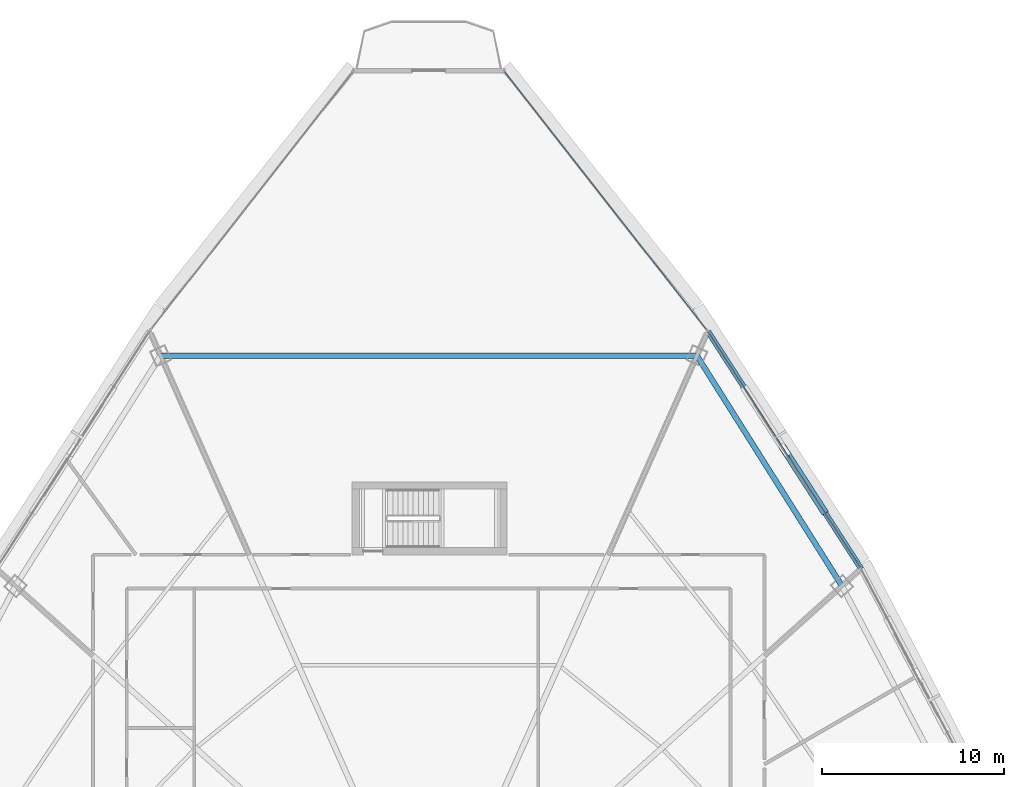
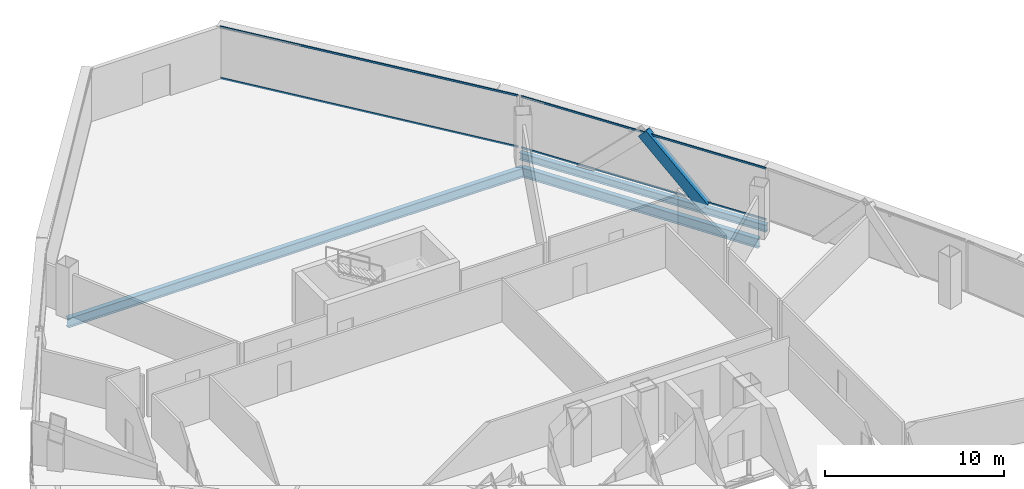
# One storey, part 21 of 36: 5 members, 3 beams, 2 elements without a shape of their own.
"""IFC4 building model written with IfcOpenShell, lengths in metres."""

from ifc_helpers import new_model, si_unit, direction, frame, origin, origin_2d, place, context, subcontext, project, spatial, hollow_rectangle, i_section, extrude, source, transform, mapped, material, layer, layer_set, material_profile, profile_set, type_object, element, aggregate, save


model = new_model("IFC4")

# Units and contexts
model_context = context("Model", 3, precision=1e-05, world=origin(), true_north=direction((0.0, 1.0)))
body_context = subcontext(model_context, "Body", "Model", "MODEL_VIEW")
ifc_project = project(units=[si_unit("LENGTHUNIT", "METRE"), si_unit("AREAUNIT", "SQUARE_METRE"), si_unit("VOLUMEUNIT", "CUBIC_METRE"), si_unit("PLANEANGLEUNIT", "RADIAN"), si_unit("MASSUNIT", "GRAM", prefix="KILO"), si_unit("THERMODYNAMICTEMPERATUREUNIT", "KELVIN"), si_unit("POWERUNIT", "WATT")], contexts=[model_context])

# Site, building, storey
site_placement = place(None, origin())
site = spatial("IfcSite", under=ifc_project, at=site_placement, CompositionType="ELEMENT")
building_placement = place(site_placement, origin())
building = spatial("IfcBuilding", under=site, at=building_placement, Name="Yunzhuo Pagoda Commons", CompositionType="ELEMENT")
storey_placement = place(building_placement, frame((0.0, 0.0, 211.360107421875)))
storey = spatial("IfcBuildingStorey", under=building, at=storey_placement, Name="L53", CompositionType="ELEMENT", Elevation=211.360107421875)

# Beams
ifc_material_1 = material(Name="Structural steel Q355B", Category="steel")
ifc_material_profile_1 = material_profile(ifc_material_1, i_section(OverallWidth=0.300048828125, OverallDepth=0.64990234375, WebThickness=0.012939453125, FlangeThickness=0.02197265625, at=origin_2d()), Name="Structural steel Q355B")
ifc_profile_set_1 = profile_set([ifc_material_profile_1], Name="Structural steel Q355B")
beam_type_1 = type_object("IfcBeamType", Name="B-RG2 Beam HN 650x300x13x22", PredefinedType="BEAM", material=ifc_profile_set_1)
shared_shape_1 = source(origin(), body_context, "Body", "SweptSolid", [
    extrude(i_section(OverallWidth=0.300048828125, OverallDepth=0.64990234375, WebThickness=0.012939453125, FlangeThickness=0.02197265625, at=origin_2d()), origin(), (0.0, 0.0, 1.0), 14.916015625),
])
beam_1_placement = place(storey_placement, frame((70.650634765625, 54.0947265625, -0.585205078125), z_axis=(-0.533092374013, 0.846057043449, 0.0), x_axis=(-0.846057043449, -0.533092374013, 0.0)))
element("IfcBeam", 1, at=beam_1_placement, inside=storey, type_object=beam_type_1, Name="L53 column-ring beam 7", PredefinedType="BEAM", context=body_context, shape_type="MappedRepresentation", body=[
    mapped(shared_shape_1, transform((0.0, 0.0, 0.0), scale=1.0)),
])
shared_shape_2 = source(origin(), body_context, "Body", "SweptSolid", [
    extrude(i_section(OverallWidth=0.300048828125, OverallDepth=0.64990234375, WebThickness=0.012939453125, FlangeThickness=0.02197265625, at=origin_2d()), origin(), (0.0, 0.0, 1.0), 29.39794921875),
])
beam_2_placement = place(storey_placement, frame((62.698974609375, 66.714599609375, -0.585205078125), z_axis=(-1.0, 0.0, 0.0), x_axis=(0.0, -1.0, 0.0)))
element("IfcBeam", 2, at=beam_2_placement, inside=storey, type_object=beam_type_1, Name="L53 column-ring beam 8", PredefinedType="BEAM", context=body_context, shape_type="MappedRepresentation", body=[
    mapped(shared_shape_2, transform((0.0, 0.0, 0.0), scale=1.0)),
])
ifc_material_profile_2 = material_profile(ifc_material_1, i_section(OverallWidth=0.300048828125, OverallDepth=0.488037109375, WebThickness=0.010986328125, FlangeThickness=0.01806640625, at=origin_2d()), Name="Structural steel Q355B")
ifc_profile_set_2 = profile_set([ifc_material_profile_2], Name="Structural steel Q355B")
beam_type_2 = type_object("IfcBeamType", Name="B-SP1 Beam HM 488x300x11x18", PredefinedType="BEAM", material=ifc_profile_set_2)
shared_shape_3 = source(origin(), body_context, "Body", "SweptSolid", [
    extrude(i_section(OverallWidth=0.300048828125, OverallDepth=0.488037109375, WebThickness=0.010986328125, FlangeThickness=0.01806640625, at=origin_2d()), origin(), (0.0, 0.0, 1.0), 15.4951171875),
])
beam_3_placement = place(storey_placement, frame((71.701904296875, 55.041259765625, -0.504150390625), z_axis=(-0.542386674216, 0.840128975594, 0.0), x_axis=(-0.840128975594, -0.542386674216, 0.0)))
element("IfcBeam", 3, at=beam_3_placement, inside=storey, type_object=beam_type_2, Name="L53 facade edge spandrel beam F2.3", PredefinedType="BEAM", context=body_context, shape_type="MappedRepresentation", body=[
    mapped(shared_shape_3, transform((0.0, 0.0, 0.0), scale=1.0)),
])

# Member
ifc_material_profile_3 = material_profile(ifc_material_1, hollow_rectangle(XDim=0.39990234375, YDim=0.719970703125, WallThickness=0.02392578125, at=origin_2d()), Name="Structural steel Q355B")
ifc_profile_set_3 = profile_set([ifc_material_profile_3], Name="Structural steel Q355B")
member_type_1 = type_object("IfcMemberType", Name="M-DL2 Brace BOX 720x400x24", PredefinedType="BRACE", material=ifc_profile_set_3)
shared_shape_4 = source(origin(), body_context, "Body", "SweptSolid", [
    extrude(hollow_rectangle(XDim=0.39990234375, YDim=0.719970703125, WallThickness=0.02392578125, at=origin_2d()), origin(), (0.0, 0.0, 1.0), 5.42626953125),
])
member_1_placement = place(storey_placement, frame((69.600830078125, 58.295654296875, -0.260009765625), z_axis=(-0.387195625252, 0.599779790871, 0.700245492845), x_axis=(-0.840142880277, -0.542365135974, 0.0)))
element("IfcMember", 4, at=member_1_placement, inside=storey, type_object=member_type_1, Name="L53 facade diamond brace F2.3L", PredefinedType="BRACE", context=body_context, shape_type="MappedRepresentation", body=[
    mapped(shared_shape_4, transform((0.0, 0.0, 0.0), scale=1.0)),
])

# Curtain wall, members
ifc_material_2 = material(Name="Anodized aluminium 6063-T6", Category="aluminium")
ifc_layer = layer(ifc_material_2, 0.14990234375)
ifc_layer_set = layer_set([ifc_layer], Name="Anodized aluminium 6063-T6")
curtain_wall_type = type_object("IfcCurtainWallType", Name="CW-MID Mid-Zone Ribbon Curtain Wall", PredefinedType="NOTDEFINED", material=ifc_layer_set)
curtain_wall_1_placement = place(storey_placement, origin())
curtain_wall_1 = element("IfcCurtainWall", 5, at=curtain_wall_1_placement, inside=storey, type_object=curtain_wall_type, Name="L53 curtain wall CW-L53-F2B4", PredefinedType="NOTDEFINED")
ifc_material_profile_4 = material_profile(ifc_material_2, hollow_rectangle(XDim=0.054931640625, YDim=0.1298828125, WallThickness=0.00341796875, at=origin_2d()), Name="Anodized aluminium 6063-T6")
ifc_profile_set_4 = profile_set([ifc_material_profile_4], Name="Anodized aluminium 6063-T6")
member_type_2 = type_object("IfcMemberType", Name="CW-MID-T Transom RHS 130x55x3.5", PredefinedType="USERDEFINED", material=ifc_profile_set_4)
shared_shape_5 = source(origin(), body_context, "Body", "SweptSolid", [
    extrude(hollow_rectangle(XDim=0.054931640625, YDim=0.1298828125, WallThickness=0.00341796875, at=origin_2d()), origin(), (0.0, 0.0, 1.0), 15.375244140625),
])
member_2_placement = place(storey_placement, frame((71.66943359375, 55.091552734375, 0.02734375), z_axis=(-0.542375319866, 0.840136305846, 0.0), x_axis=(-0.840136305846, -0.542375319866, 0.0)))
member_2 = element("IfcMember", 6, at=member_2_placement, type_object=member_type_2, Name="CW transom 1.1", ObjectType="TRANSOM", PredefinedType="USERDEFINED", context=body_context, shape_type="MappedRepresentation", body=[
    mapped(shared_shape_5, transform((0.0, 0.0, 0.0), scale=1.0)),
])
member_3_placement = place(storey_placement, frame((71.66943359375, 55.091552734375, 3.512451171875), z_axis=(-0.542375319866, 0.840136305846, 0.0), x_axis=(-0.840136305846, -0.542375319866, 0.0)))
member_3 = element("IfcMember", 7, at=member_3_placement, type_object=member_type_2, Name="CW transom 1.2", ObjectType="TRANSOM", PredefinedType="USERDEFINED", context=body_context, shape_type="MappedRepresentation", body=[
    mapped(shared_shape_5, transform((0.0, 0.0, 0.0), scale=1.0)),
])
aggregate(curtain_wall_1, [member_2, member_3])

curtain_wall_2_placement = place(storey_placement, origin())
curtain_wall_2 = element("IfcCurtainWall", 8, at=curtain_wall_2_placement, inside=storey, type_object=curtain_wall_type, Name="L53 curtain wall CW-L53-F2B5", PredefinedType="NOTDEFINED")
shared_shape_6 = source(origin(), body_context, "Body", "SweptSolid", [
    extrude(hollow_rectangle(XDim=0.054931640625, YDim=0.1298828125, WallThickness=0.00341796875, at=origin_2d()), origin(), (0.0, 0.0, 1.0), 17.94091796875),
])
member_4_placement = place(storey_placement, frame((63.214599609375, 68.16552734375, 0.02734375), z_axis=(-0.616633301758, 0.7872505136, 0.0), x_axis=(-0.7872505136, -0.616633301758, 0.0)))
member_4 = element("IfcMember", 9, at=member_4_placement, type_object=member_type_2, Name="CW transom 1.1", ObjectType="TRANSOM", PredefinedType="USERDEFINED", context=body_context, shape_type="MappedRepresentation", body=[
    mapped(shared_shape_6, transform((0.0, 0.0, 0.0), scale=1.0)),
])
member_5_placement = place(storey_placement, frame((63.214599609375, 68.16552734375, 3.512451171875), z_axis=(-0.616633301758, 0.7872505136, 0.0), x_axis=(-0.7872505136, -0.616633301758, 0.0)))
member_5 = element("IfcMember", 10, at=member_5_placement, type_object=member_type_2, Name="CW transom 1.2", ObjectType="TRANSOM", PredefinedType="USERDEFINED", context=body_context, shape_type="MappedRepresentation", body=[
    mapped(shared_shape_6, transform((0.0, 0.0, 0.0), scale=1.0)),
])
aggregate(curtain_wall_2, [member_4, member_5])

save(model, "model.ifc")
